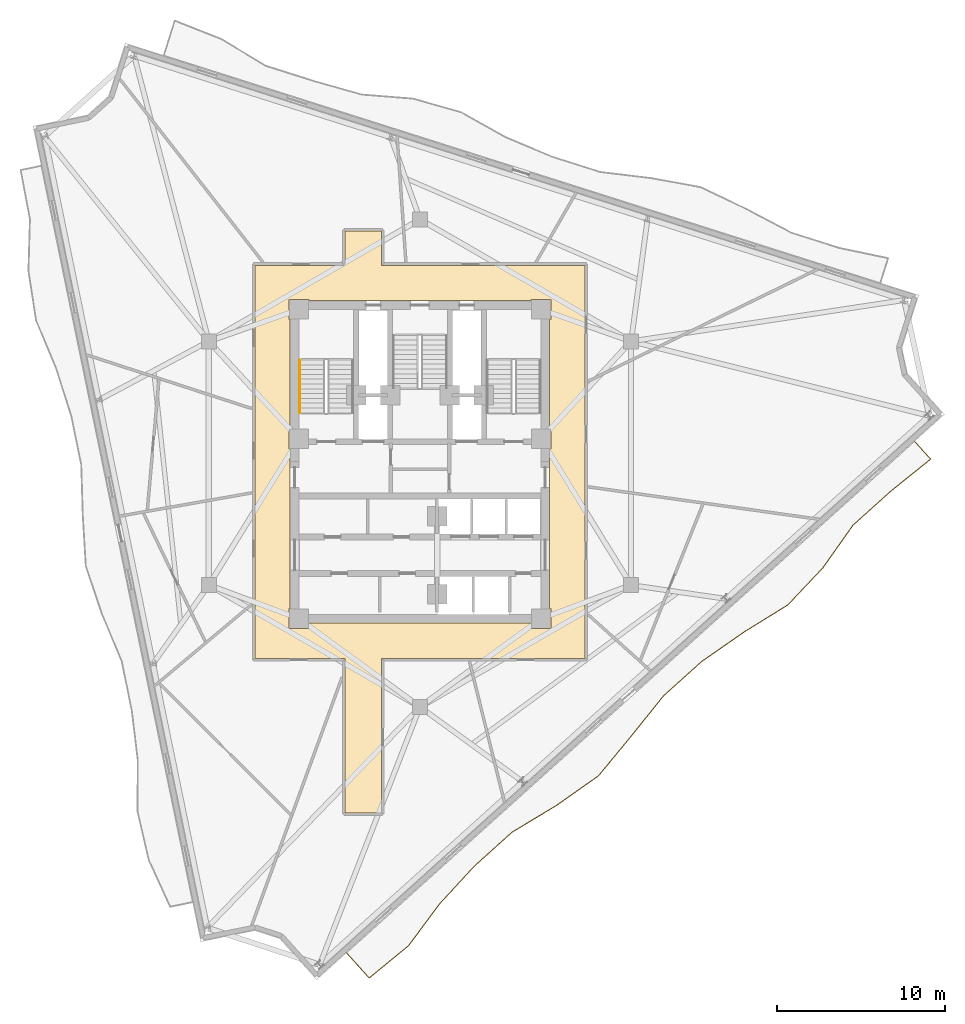
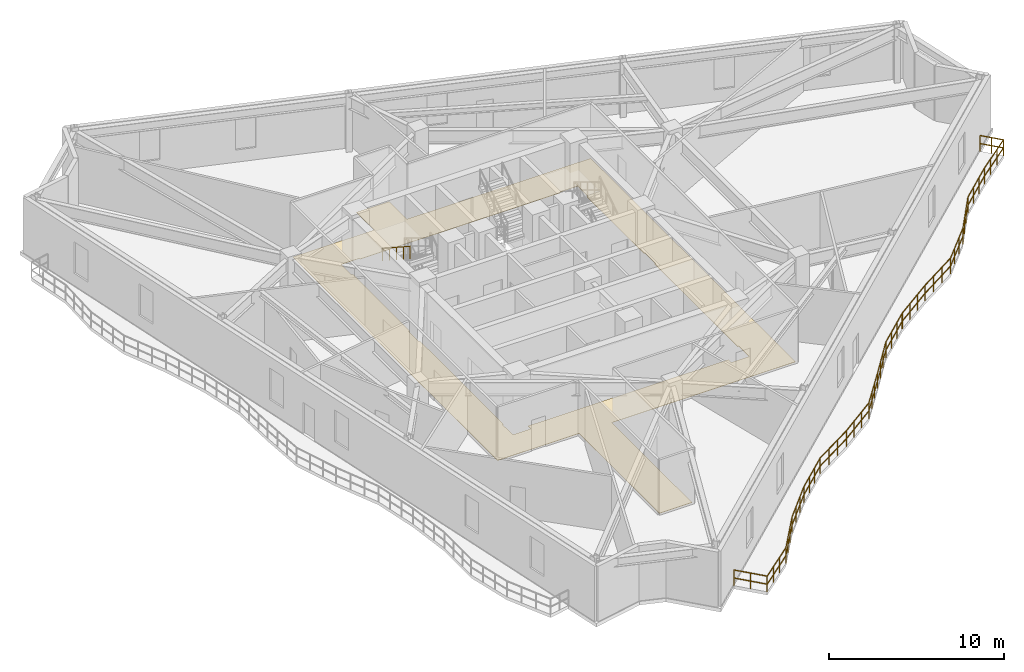
# One storey, part 10 of 12: 2 railings, 1 covering.
"""IFC4 building model written with IfcOpenShell, lengths in metres."""

from ifc_helpers import new_model, si_unit, direction, frame, origin, origin_2d, place, context, subcontext, project, spatial, polyline, rectangle, outline, extrude, material, layer, layer_set, type_object, element, save


model = new_model("IFC4")

# Units and contexts
model_context = context("Model", 3, precision=1e-05, world=origin(), true_north=direction((0.0, 1.0)))
body_context = subcontext(model_context, "Body", "Model", "MODEL_VIEW")
ifc_project = project(units=[si_unit("LENGTHUNIT", "METRE"), si_unit("AREAUNIT", "SQUARE_METRE"), si_unit("VOLUMEUNIT", "CUBIC_METRE"), si_unit("PLANEANGLEUNIT", "RADIAN"), si_unit("MASSUNIT", "GRAM", prefix="KILO")], contexts=[model_context])

# Site, building, storey
site_placement = place(None, origin())
site = spatial("IfcSite", under=ifc_project, at=site_placement, CompositionType="ELEMENT")
building_placement = place(site_placement, origin())
building = spatial("IfcBuilding", under=site, at=building_placement, Name="Apsidion Concourse Tower", CompositionType="ELEMENT")
storey_placement = place(building_placement, frame((0.0, 0.0, 232.199951171875)))
storey = spatial("IfcBuildingStorey", under=building, at=storey_placement, Name="L54", CompositionType="ELEMENT", Elevation=232.199951171875)

# Covering
ifc_material_1 = material(Name="Honed travertine floor finish", Category="masonry")
ifc_layer = layer(ifc_material_1, 0.02001953125)
ifc_layer_set = layer_set([ifc_layer], Name="Honed travertine floor finish")
covering_type = type_object("IfcCoveringType", Name="COV-FLOR-20", PredefinedType="FLOORING", material=ifc_layer_set)
covering_placement = place(storey_placement, origin())
element("IfcCovering", 1, at=covering_placement, inside=storey, type_object=covering_type, Name="L54 Honed Travertine Floor Finish 2", PredefinedType="FLOORING", context=body_context, shape_type="SweptSolid", body=[
    extrude(outline(polyline([(-9.820068359375, -11.6201171875), (-9.820068359375, 11.77001953125), (-4.449951171875, 11.77001953125), (-4.449951171875, 13.800048828125), (-2.300048828125, 13.800048828125), (-2.300048828125, 11.77001953125), (9.820068359375, 11.77001953125), (9.820068359375, -11.6201171875), (-2.300048828125, -11.6201171875), (-2.300048828125, -20.800048828125), (-4.449951171875, -20.800048828125), (-4.449951171875, -11.6201171875), (-9.820068359375, -11.6201171875)]), holes=[polyline([(-2.300048828125, 9.669921875), (-4.449951171875, 9.669921875), (-6.60498046875, 9.669921875), (-6.60498046875, 9.72509765625), (-6.60498046875, 9.72705078125), (-6.60546875, 9.72900390625), (-6.60595703125, 9.730712890625), (-6.6064453125, 9.732666015625), (-6.607421875, 9.734375), (-6.6083984375, 9.736083984375), (-6.609619140625, 9.73779296875), (-6.61083984375, 9.739013671875), (-6.6123046875, 9.740478515625), (-6.614013671875, 9.74169921875), (-6.615478515625, 9.74267578125), (-6.6171875, 9.743408203125), (-6.619140625, 9.744140625), (-6.62109375, 9.74462890625), (-6.623046875, 9.744873046875), (-6.625, 9.7451171875), (-7.77490234375, 9.7451171875), (-7.777099609375, 9.744873046875), (-7.77880859375, 9.74462890625), (-7.78076171875, 9.744140625), (-7.78271484375, 9.743408203125), (-7.784423828125, 9.74267578125), (-7.7861328125, 9.74169921875), (-7.78759765625, 9.740478515625), (-7.7890625, 9.739013671875), (-7.79052734375, 9.73779296875), (-7.79150390625, 9.736083984375), (-7.79248046875, 9.734375), (-7.79345703125, 9.732666015625), (-7.794189453125, 9.730712890625), (-7.794677734375, 9.72900390625), (-7.794921875, 9.72705078125), (-7.794921875, 9.72509765625), (-7.794921875, 8.574951171875), (-7.794921875, 8.572998046875), (-7.794677734375, 8.571044921875), (-7.794189453125, 8.569091796875), (-7.79345703125, 8.5673828125), (-7.79248046875, 8.565673828125), (-7.79150390625, 8.56396484375), (-7.79052734375, 8.562255859375), (-7.7890625, 8.560791015625), (-7.78759765625, 8.5595703125), (-7.7861328125, 8.558349609375), (-7.784423828125, 8.557373046875), (-7.78271484375, 8.556396484375), (-7.78076171875, 8.555908203125), (-7.77880859375, 8.555419921875), (-7.777099609375, 8.55517578125), (-7.77490234375, 8.554931640625), (-7.719970703125, 8.554931640625), (-7.719970703125, 2.044921875), (-7.77490234375, 2.044921875), (-7.777099609375, 2.044921875), (-7.77880859375, 2.044677734375), (-7.78076171875, 2.044189453125), (-7.78271484375, 2.04345703125), (-7.784423828125, 2.04248046875), (-7.7861328125, 2.04150390625), (-7.78759765625, 2.04052734375), (-7.7890625, 2.0390625), (-7.79052734375, 2.03759765625), (-7.79150390625, 2.0361328125), (-7.79248046875, 2.034423828125), (-7.79345703125, 2.03271484375), (-7.794189453125, 2.03076171875), (-7.794677734375, 2.02880859375), (-7.794921875, 2.027099609375), (-7.794921875, 2.02490234375), (-7.794921875, 0.875), (-7.794921875, 0.873046875), (-7.794677734375, 0.87109375), (-7.794189453125, 0.869140625), (-7.79345703125, 0.8671875), (-7.79248046875, 0.865478515625), (-7.79150390625, 0.864013671875), (-7.79052734375, 0.8623046875), (-7.7890625, 0.86083984375), (-7.78759765625, 0.859619140625), (-7.7861328125, 0.8583984375), (-7.784423828125, 0.857421875), (-7.78271484375, 0.8564453125), (-7.78076171875, 0.85595703125), (-7.77880859375, 0.85546875), (-7.777099609375, 0.85498046875), (-7.77490234375, 0.85498046875), (-7.719970703125, 0.85498046875), (-7.719970703125, -8.655029296875), (-7.77490234375, -8.655029296875), (-7.777099609375, -8.655029296875), (-7.77880859375, -8.655517578125), (-7.78076171875, -8.656005859375), (-7.78271484375, -8.656494140625), (-7.784423828125, -8.657470703125), (-7.7861328125, -8.658447265625), (-7.78759765625, -8.659423828125), (-7.7890625, -8.660888671875), (-7.79052734375, -8.662353515625), (-7.79150390625, -8.663818359375), (-7.79248046875, -8.66552734375), (-7.79345703125, -8.667236328125), (-7.794189453125, -8.669189453125), (-7.794677734375, -8.671142578125), (-7.794921875, -8.673095703125), (-7.794921875, -8.675048828125), (-7.794921875, -9.824951171875), (-7.794921875, -9.826904296875), (-7.794677734375, -9.828857421875), (-7.794189453125, -9.830810546875), (-7.79345703125, -9.832763671875), (-7.79248046875, -9.83447265625), (-7.79150390625, -9.836181640625), (-7.79052734375, -9.837646484375), (-7.7890625, -9.839111328125), (-7.78759765625, -9.840576171875), (-7.7861328125, -9.841552734375), (-7.784423828125, -9.842529296875), (-7.78271484375, -9.843505859375), (-7.78076171875, -9.843994140625), (-7.77880859375, -9.844482421875), (-7.777099609375, -9.844970703125), (-7.77490234375, -9.844970703125), (-6.625, -9.844970703125), (-6.623046875, -9.844970703125), (-6.62109375, -9.844482421875), (-6.619140625, -9.843994140625), (-6.6171875, -9.843505859375), (-6.615478515625, -9.842529296875), (-6.614013671875, -9.841552734375), (-6.6123046875, -9.840576171875), (-6.61083984375, -9.839111328125), (-6.609619140625, -9.837646484375), (-6.6083984375, -9.836181640625), (-6.607421875, -9.83447265625), (-6.6064453125, -9.832763671875), (-6.60595703125, -9.830810546875), (-6.60546875, -9.828857421875), (-6.60498046875, -9.826904296875), (-6.60498046875, -9.824951171875), (-6.60498046875, -9.52001953125), (-4.449951171875, -9.52001953125), (-2.300048828125, -9.52001953125), (6.60498046875, -9.52001953125), (6.60498046875, -9.824951171875), (6.60498046875, -9.826904296875), (6.60546875, -9.828857421875), (6.60595703125, -9.830810546875), (6.6064453125, -9.832763671875), (6.607421875, -9.83447265625), (6.6083984375, -9.836181640625), (6.609619140625, -9.837646484375), (6.61083984375, -9.839111328125), (6.6123046875, -9.840576171875), (6.614013671875, -9.841552734375), (6.615478515625, -9.842529296875), (6.6171875, -9.843505859375), (6.619140625, -9.843994140625), (6.62109375, -9.844482421875), (6.623046875, -9.844970703125), (6.625, -9.844970703125), (7.77490234375, -9.844970703125), (7.777099609375, -9.844970703125), (7.77880859375, -9.844482421875), (7.78076171875, -9.843994140625), (7.78271484375, -9.843505859375), (7.784423828125, -9.842529296875), (7.7861328125, -9.841552734375), (7.78759765625, -9.840576171875), (7.7890625, -9.839111328125), (7.79052734375, -9.837646484375), (7.79150390625, -9.836181640625), (7.79248046875, -9.83447265625), (7.79345703125, -9.832763671875), (7.794189453125, -9.830810546875), (7.794677734375, -9.828857421875), (7.794921875, -9.826904296875), (7.794921875, -9.824951171875), (7.794921875, -8.675048828125), (7.794921875, -8.673095703125), (7.794677734375, -8.671142578125), (7.794189453125, -8.669189453125), (7.79345703125, -8.667236328125), (7.79248046875, -8.66552734375), (7.79150390625, -8.663818359375), (7.79052734375, -8.662353515625), (7.7890625, -8.660888671875), (7.78759765625, -8.659423828125), (7.7861328125, -8.658447265625), (7.784423828125, -8.657470703125), (7.78271484375, -8.656494140625), (7.78076171875, -8.656005859375), (7.77880859375, -8.655517578125), (7.777099609375, -8.655029296875), (7.77490234375, -8.655029296875), (7.719970703125, -8.655029296875), (7.719970703125, 0.85498046875), (7.77490234375, 0.85498046875), (7.777099609375, 0.85498046875), (7.77880859375, 0.85546875), (7.78076171875, 0.85595703125), (7.78271484375, 0.8564453125), (7.784423828125, 0.857421875), (7.7861328125, 0.8583984375), (7.78759765625, 0.859619140625), (7.7890625, 0.86083984375), (7.79052734375, 0.8623046875), (7.79150390625, 0.864013671875), (7.79248046875, 0.865478515625), (7.79345703125, 0.8671875), (7.794189453125, 0.869140625), (7.794677734375, 0.87109375), (7.794921875, 0.873046875), (7.794921875, 0.875), (7.794921875, 2.02490234375), (7.794921875, 2.027099609375), (7.794677734375, 2.02880859375), (7.794189453125, 2.03076171875), (7.79345703125, 2.03271484375), (7.79248046875, 2.034423828125), (7.79150390625, 2.0361328125), (7.79052734375, 2.03759765625), (7.7890625, 2.0390625), (7.78759765625, 2.04052734375), (7.7861328125, 2.04150390625), (7.784423828125, 2.04248046875), (7.78271484375, 2.04345703125), (7.78076171875, 2.044189453125), (7.77880859375, 2.044677734375), (7.777099609375, 2.044921875), (7.77490234375, 2.044921875), (7.719970703125, 2.044921875), (7.719970703125, 8.554931640625), (7.77490234375, 8.554931640625), (7.777099609375, 8.55517578125), (7.77880859375, 8.555419921875), (7.78076171875, 8.555908203125), (7.78271484375, 8.556396484375), (7.784423828125, 8.557373046875), (7.7861328125, 8.558349609375), (7.78759765625, 8.5595703125), (7.7890625, 8.560791015625), (7.79052734375, 8.562255859375), (7.79150390625, 8.56396484375), (7.79248046875, 8.565673828125), (7.79345703125, 8.5673828125), (7.794189453125, 8.569091796875), (7.794677734375, 8.571044921875), (7.794921875, 8.572998046875), (7.794921875, 8.574951171875), (7.794921875, 9.72509765625), (7.794921875, 9.72705078125), (7.794677734375, 9.72900390625), (7.794189453125, 9.730712890625), (7.79345703125, 9.732666015625), (7.79248046875, 9.734375), (7.79150390625, 9.736083984375), (7.79052734375, 9.73779296875), (7.7890625, 9.739013671875), (7.78759765625, 9.740478515625), (7.7861328125, 9.74169921875), (7.784423828125, 9.74267578125), (7.78271484375, 9.743408203125), (7.78076171875, 9.744140625), (7.77880859375, 9.74462890625), (7.777099609375, 9.744873046875), (7.77490234375, 9.7451171875), (6.625, 9.7451171875), (6.623046875, 9.744873046875), (6.62109375, 9.74462890625), (6.619140625, 9.744140625), (6.6171875, 9.743408203125), (6.615478515625, 9.74267578125), (6.614013671875, 9.74169921875), (6.6123046875, 9.740478515625), (6.61083984375, 9.739013671875), (6.609619140625, 9.73779296875), (6.6083984375, 9.736083984375), (6.607421875, 9.734375), (6.6064453125, 9.732666015625), (6.60595703125, 9.730712890625), (6.60546875, 9.72900390625), (6.60498046875, 9.72705078125), (6.60498046875, 9.72509765625), (6.60498046875, 9.669921875), (-2.300048828125, 9.669921875)])]), origin(), (0.0, 0.0, 1.0), 0.02001953125),
])

# Railings
ifc_material_2 = material(Name="Brushed stainless steel 316", Category="steel")
railing_type_1 = type_object("IfcRailingType", Name="RL-BAL-1120", PredefinedType="BALUSTRADE", material=ifc_material_2)
railing_1_placement = place(storey_placement, frame((29.43359375, 1.295166015625, 0.0)))
element("IfcRailing", 2, at=railing_1_placement, inside=storey, type_object=railing_type_1, Name="L54 Face 2 Rippling Balcony Balustrade", PredefinedType="BALUSTRADE", context=body_context, shape_type="SweptSolid", body=[
    extrude(rectangle(XDim=0.048095703125, YDim=0.048095703125, at=origin_2d()), frame((0.0, 0.0, 1.09619140625), z_axis=(0.669126398651, -0.743148614093, 0.0), x_axis=(0.743148614093, 0.669126398651, 0.0)), (0.0, 0.0, 1.0), 1.418212890625),
    extrude(rectangle(XDim=0.048095703125, YDim=0.048095703125, at=origin_2d()), frame((0.0, 0.0, 0.5361328125), z_axis=(0.669126398651, -0.743148614093, 0.0), x_axis=(0.743148614093, 0.669126398651, 0.0)), (0.0, 0.0, 1.0), 1.418212890625),
    extrude(rectangle(XDim=0.048095703125, YDim=0.048095703125, at=origin_2d()), frame((0.948974609375, -1.053955078125, 1.09619140625), z_axis=(-0.779061489242, -0.626947522509, 0.0), x_axis=(0.626947522509, -0.779061489242, 0.0)), (0.0, 0.0, 1.0), 3.03662109375),
    extrude(rectangle(XDim=0.048095703125, YDim=0.048095703125, at=origin_2d()), frame((0.948974609375, -1.053955078125, 0.5361328125), z_axis=(-0.779061489242, -0.626947522509, 0.0), x_axis=(0.626947522509, -0.779061489242, 0.0)), (0.0, 0.0, 1.0), 3.03662109375),
    extrude(rectangle(XDim=0.048095703125, YDim=0.048095703125, at=origin_2d()), frame((-1.416748046875, -2.957763671875, 1.09619140625), z_axis=(-0.743137975508, -0.669138213942, 0.0), x_axis=(0.669138213942, -0.743137975508, 0.0)), (0.0, 0.0, 1.0), 3.031982421875),
    extrude(rectangle(XDim=0.048095703125, YDim=0.048095703125, at=origin_2d()), frame((-1.416748046875, -2.957763671875, 0.5361328125), z_axis=(-0.743137975508, -0.669138213942, 0.0), x_axis=(0.669138213942, -0.743137975508, 0.0)), (0.0, 0.0, 1.0), 3.031982421875),
    extrude(rectangle(XDim=0.048095703125, YDim=0.048095703125, at=origin_2d()), frame((-3.669921875, -4.986572265625, 1.09619140625), z_axis=(-0.577345970583, -0.816499620485, 0.0), x_axis=(0.816499620485, -0.577345970583, 0.0)), (0.0, 0.0, 1.0), 3.1083984375),
    extrude(rectangle(XDim=0.048095703125, YDim=0.048095703125, at=origin_2d()), frame((-3.669921875, -4.986572265625, 0.5361328125), z_axis=(-0.577345970583, -0.816499620485, 0.0), x_axis=(0.816499620485, -0.577345970583, 0.0)), (0.0, 0.0, 1.0), 3.1083984375),
    extrude(rectangle(XDim=0.048095703125, YDim=0.048095703125, at=origin_2d()), frame((-5.464599609375, -7.524658203125, 1.09619140625), z_axis=(-0.68712772558, -0.72653663964, 0.0), x_axis=(0.72653663964, -0.68712772558, 0.0)), (0.0, 0.0, 1.0), 3.041748046875),
    extrude(rectangle(XDim=0.048095703125, YDim=0.048095703125, at=origin_2d()), frame((-5.464599609375, -7.524658203125, 0.5361328125), z_axis=(-0.68712772558, -0.72653663964, 0.0), x_axis=(0.72653663964, -0.68712772558, 0.0)), (0.0, 0.0, 1.0), 3.041748046875),
    extrude(rectangle(XDim=0.048095703125, YDim=0.048095703125, at=origin_2d()), frame((-7.5546875, -9.734619140625, 1.09619140625), z_axis=(-0.850243192623, -0.526390077222, 0.0), x_axis=(0.526390077222, -0.850243192623, 0.0)), (0.0, 0.0, 1.0), 3.0810546875),
    extrude(rectangle(XDim=0.048095703125, YDim=0.048095703125, at=origin_2d()), frame((-7.5546875, -9.734619140625, 0.5361328125), z_axis=(-0.850243192623, -0.526390077222, 0.0), x_axis=(0.526390077222, -0.850243192623, 0.0)), (0.0, 0.0, 1.0), 3.0810546875),
    extrude(rectangle(XDim=0.048095703125, YDim=0.048095703125, at=origin_2d()), frame((-10.17431640625, -11.3564453125, 1.09619140625), z_axis=(-0.820861234866, -0.571127685456, 0.0), x_axis=(0.571127685456, -0.820861234866, 0.0)), (0.0, 0.0, 1.0), 3.055908203125),
    extrude(rectangle(XDim=0.048095703125, YDim=0.048095703125, at=origin_2d()), frame((-10.17431640625, -11.3564453125, 0.5361328125), z_axis=(-0.820861234866, -0.571127685456, 0.0), x_axis=(0.571127685456, -0.820861234866, 0.0)), (0.0, 0.0, 1.0), 3.055908203125),
    extrude(rectangle(XDim=0.048095703125, YDim=0.048095703125, at=origin_2d()), frame((-12.682861328125, -13.101806640625, 1.09619140625), z_axis=(-0.743137975508, -0.669138213942, 0.0), x_axis=(0.669138213942, -0.743137975508, 0.0)), (0.0, 0.0, 1.0), 3.031982421875),
    extrude(rectangle(XDim=0.048095703125, YDim=0.048095703125, at=origin_2d()), frame((-12.682861328125, -13.101806640625, 0.5361328125), z_axis=(-0.743137975508, -0.669138213942, 0.0), x_axis=(0.669138213942, -0.743137975508, 0.0)), (0.0, 0.0, 1.0), 3.031982421875),
    extrude(rectangle(XDim=0.048095703125, YDim=0.048095703125, at=origin_2d()), frame((-14.93603515625, -15.130615234375, 1.09619140625), z_axis=(-0.625586252701, -0.780155010515, 0.0), x_axis=(0.780155010515, -0.625586252701, 0.0)), (0.0, 0.0, 1.0), 3.072021484375),
    extrude(rectangle(XDim=0.048095703125, YDim=0.048095703125, at=origin_2d()), frame((-14.93603515625, -15.130615234375, 0.5361328125), z_axis=(-0.625586252701, -0.780155010515, 0.0), x_axis=(0.780155010515, -0.625586252701, 0.0)), (0.0, 0.0, 1.0), 3.072021484375),
    extrude(rectangle(XDim=0.048095703125, YDim=0.048095703125, at=origin_2d()), frame((-16.85791015625, -17.52734375, 1.09619140625), z_axis=(-0.636125859805, -0.771585309922, 0.0), x_axis=(0.771585309922, -0.636125859805, 0.0)), (0.0, 0.0, 1.0), 3.065673828125),
    extrude(rectangle(XDim=0.048095703125, YDim=0.048095703125, at=origin_2d()), frame((-16.85791015625, -17.52734375, 0.5361328125), z_axis=(-0.636125859805, -0.771585309922, 0.0), x_axis=(0.771585309922, -0.636125859805, 0.0)), (0.0, 0.0, 1.0), 3.065673828125),
    extrude(rectangle(XDim=0.048095703125, YDim=0.048095703125, at=origin_2d()), frame((-18.80810546875, -19.892822265625, 1.09619140625), z_axis=(-0.817251375488, -0.57628134558, 0.0), x_axis=(0.57628134558, -0.817251375488, 0.0)), (0.0, 0.0, 1.0), 3.0537109375),
    extrude(rectangle(XDim=0.048095703125, YDim=0.048095703125, at=origin_2d()), frame((-18.80810546875, -19.892822265625, 0.5361328125), z_axis=(-0.817251375488, -0.57628134558, 0.0), x_axis=(0.57628134558, -0.817251375488, 0.0)), (0.0, 0.0, 1.0), 3.0537109375),
    extrude(rectangle(XDim=0.048095703125, YDim=0.048095703125, at=origin_2d()), frame((-21.3037109375, -21.652587890625, 1.09619140625), z_axis=(-0.856619704158, -0.515948333118, 0.0), x_axis=(0.515948333118, -0.856619704158, 0.0)), (0.0, 0.0, 1.0), 3.088134765625),
    extrude(rectangle(XDim=0.048095703125, YDim=0.048095703125, at=origin_2d()), frame((-21.3037109375, -21.652587890625, 0.5361328125), z_axis=(-0.856619704158, -0.515948333118, 0.0), x_axis=(0.515948333118, -0.856619704158, 0.0)), (0.0, 0.0, 1.0), 3.088134765625),
    extrude(rectangle(XDim=0.048095703125, YDim=0.048095703125, at=origin_2d()), frame((-23.948974609375, -23.245849609375, 1.09619140625), z_axis=(-0.743137975508, -0.669138213942, 0.0), x_axis=(0.669138213942, -0.743137975508, 0.0)), (0.0, 0.0, 1.0), 3.031982421875),
    extrude(rectangle(XDim=0.048095703125, YDim=0.048095703125, at=origin_2d()), frame((-23.948974609375, -23.245849609375, 0.5361328125), z_axis=(-0.743137975508, -0.669138213942, 0.0), x_axis=(0.669138213942, -0.743137975508, 0.0)), (0.0, 0.0, 1.0), 3.031982421875),
    extrude(rectangle(XDim=0.048095703125, YDim=0.048095703125, at=origin_2d()), frame((-26.2021484375, -25.274658203125, 1.09619140625), z_axis=(-0.677570494829, -0.735457833283, 0.0), x_axis=(0.735457833283, -0.677570494829, 0.0)), (0.0, 0.0, 1.0), 3.045166015625),
    extrude(rectangle(XDim=0.048095703125, YDim=0.048095703125, at=origin_2d()), frame((-26.2021484375, -25.274658203125, 0.5361328125), z_axis=(-0.677570494829, -0.735457833283, 0.0), x_axis=(0.735457833283, -0.677570494829, 0.0)), (0.0, 0.0, 1.0), 3.045166015625),
    extrude(rectangle(XDim=0.048095703125, YDim=0.048095703125, at=origin_2d()), frame((-28.265380859375, -27.51416015625, 1.09619140625), z_axis=(-0.595635109511, -0.803255137747, 0.0), x_axis=(0.803255137747, -0.595635109511, 0.0)), (0.0, 0.0, 1.0), 3.09375),
    extrude(rectangle(XDim=0.048095703125, YDim=0.048095703125, at=origin_2d()), frame((-28.265380859375, -27.51416015625, 0.5361328125), z_axis=(-0.595635109511, -0.803255137747, 0.0), x_axis=(0.803255137747, -0.595635109511, 0.0)), (0.0, 0.0, 1.0), 3.09375),
    extrude(rectangle(XDim=0.048095703125, YDim=0.048095703125, at=origin_2d()), frame((-30.108154296875, -29.999267578125, 1.09619140625), z_axis=(-0.772784023312, -0.634669089615, 0.0), x_axis=(0.634669089615, -0.772784023312, 0.0)), (0.0, 0.0, 1.0), 3.03515625),
    extrude(rectangle(XDim=0.048095703125, YDim=0.048095703125, at=origin_2d()), frame((-30.108154296875, -29.999267578125, 0.5361328125), z_axis=(-0.772784023312, -0.634669089615, 0.0), x_axis=(0.634669089615, -0.772784023312, 0.0)), (0.0, 0.0, 1.0), 3.03515625),
    extrude(rectangle(XDim=0.048095703125, YDim=0.048095703125, at=origin_2d()), frame((-32.45361328125, -31.925537109375, 1.09619140625), z_axis=(-0.669078836066, 0.743191436393, 0.0), x_axis=(-0.743191436393, -0.669078836066, 0.0)), (0.0, 0.0, 1.0), 2.009521484375),
    extrude(rectangle(XDim=0.048095703125, YDim=0.048095703125, at=origin_2d()), frame((-32.45361328125, -31.925537109375, 0.5361328125), z_axis=(-0.669078836066, 0.743191436393, 0.0), x_axis=(-0.743191436393, -0.669078836066, 0.0)), (0.0, 0.0, 1.0), 2.009521484375),
    extrude(rectangle(XDim=0.0419921875, YDim=0.0419921875, at=origin_2d()), origin(), (0.0, 0.0, 1.0), 1.072021484375),
    extrude(rectangle(XDim=0.0419921875, YDim=0.0419921875, at=origin_2d()), frame((0.474609375, -0.52685546875, 0.0)), (0.0, 0.0, 1.0), 1.072021484375),
    extrude(rectangle(XDim=0.0419921875, YDim=0.0419921875, at=origin_2d()), frame((0.948974609375, -1.053955078125, 0.0)), (0.0, 0.0, 1.0), 1.072021484375),
    extrude(rectangle(XDim=0.0419921875, YDim=0.0419921875, at=origin_2d()), frame((0.160400390625, -1.6884765625, 0.0)), (0.0, 0.0, 1.0), 1.072021484375),
    extrude(rectangle(XDim=0.0419921875, YDim=0.0419921875, at=origin_2d()), frame((-0.628173828125, -2.3232421875, 0.0)), (0.0, 0.0, 1.0), 1.072021484375),
    extrude(rectangle(XDim=0.0419921875, YDim=0.0419921875, at=origin_2d()), frame((-1.416748046875, -2.957763671875, 0.0)), (0.0, 0.0, 1.0), 1.072021484375),
    extrude(rectangle(XDim=0.0419921875, YDim=0.0419921875, at=origin_2d()), frame((-2.167724609375, -3.634033203125, 0.0)), (0.0, 0.0, 1.0), 1.072021484375),
    extrude(rectangle(XDim=0.0419921875, YDim=0.0419921875, at=origin_2d()), frame((-2.9189453125, -4.310302734375, 0.0)), (0.0, 0.0, 1.0), 1.072021484375),
    extrude(rectangle(XDim=0.0419921875, YDim=0.0419921875, at=origin_2d()), frame((-3.669921875, -4.986572265625, 0.0)), (0.0, 0.0, 1.0), 1.072021484375),
    extrude(rectangle(XDim=0.0419921875, YDim=0.0419921875, at=origin_2d()), frame((-4.26806640625, -5.83251953125, 0.0)), (0.0, 0.0, 1.0), 1.072021484375),
    extrude(rectangle(XDim=0.0419921875, YDim=0.0419921875, at=origin_2d()), frame((-4.866455078125, -6.6787109375, 0.0)), (0.0, 0.0, 1.0), 1.072021484375),
    extrude(rectangle(XDim=0.0419921875, YDim=0.0419921875, at=origin_2d()), frame((-5.464599609375, -7.524658203125, 0.0)), (0.0, 0.0, 1.0), 1.072021484375),
    extrude(rectangle(XDim=0.0419921875, YDim=0.0419921875, at=origin_2d()), frame((-6.161376953125, -8.26123046875, 0.0)), (0.0, 0.0, 1.0), 1.072021484375),
    extrude(rectangle(XDim=0.0419921875, YDim=0.0419921875, at=origin_2d()), frame((-6.85791015625, -8.998046875, 0.0)), (0.0, 0.0, 1.0), 1.072021484375),
    extrude(rectangle(XDim=0.0419921875, YDim=0.0419921875, at=origin_2d()), frame((-7.5546875, -9.734619140625, 0.0)), (0.0, 0.0, 1.0), 1.072021484375),
    extrude(rectangle(XDim=0.0419921875, YDim=0.0419921875, at=origin_2d()), frame((-8.427978515625, -10.275146484375, 0.0)), (0.0, 0.0, 1.0), 1.072021484375),
    extrude(rectangle(XDim=0.0419921875, YDim=0.0419921875, at=origin_2d()), frame((-9.301025390625, -10.81591796875, 0.0)), (0.0, 0.0, 1.0), 1.072021484375),
    extrude(rectangle(XDim=0.0419921875, YDim=0.0419921875, at=origin_2d()), frame((-10.17431640625, -11.3564453125, 0.0)), (0.0, 0.0, 1.0), 1.072021484375),
    extrude(rectangle(XDim=0.0419921875, YDim=0.0419921875, at=origin_2d()), frame((-11.010498046875, -11.938232421875, 0.0)), (0.0, 0.0, 1.0), 1.072021484375),
    extrude(rectangle(XDim=0.0419921875, YDim=0.0419921875, at=origin_2d()), frame((-11.8466796875, -12.52001953125, 0.0)), (0.0, 0.0, 1.0), 1.072021484375),
    extrude(rectangle(XDim=0.0419921875, YDim=0.0419921875, at=origin_2d()), frame((-12.682861328125, -13.101806640625, 0.0)), (0.0, 0.0, 1.0), 1.072021484375),
    extrude(rectangle(XDim=0.0419921875, YDim=0.0419921875, at=origin_2d()), frame((-13.433837890625, -13.778076171875, 0.0)), (0.0, 0.0, 1.0), 1.072021484375),
    extrude(rectangle(XDim=0.0419921875, YDim=0.0419921875, at=origin_2d()), frame((-14.18505859375, -14.454345703125, 0.0)), (0.0, 0.0, 1.0), 1.072021484375),
    extrude(rectangle(XDim=0.0419921875, YDim=0.0419921875, at=origin_2d()), frame((-14.93603515625, -15.130615234375, 0.0)), (0.0, 0.0, 1.0), 1.072021484375),
    extrude(rectangle(XDim=0.0419921875, YDim=0.0419921875, at=origin_2d()), frame((-15.57666015625, -15.929443359375, 0.0)), (0.0, 0.0, 1.0), 1.072021484375),
    extrude(rectangle(XDim=0.0419921875, YDim=0.0419921875, at=origin_2d()), frame((-16.21728515625, -16.728515625, 0.0)), (0.0, 0.0, 1.0), 1.072021484375),
    extrude(rectangle(XDim=0.0419921875, YDim=0.0419921875, at=origin_2d()), frame((-16.85791015625, -17.52734375, 0.0)), (0.0, 0.0, 1.0), 1.072021484375),
    extrude(rectangle(XDim=0.0419921875, YDim=0.0419921875, at=origin_2d()), frame((-17.508056640625, -18.31591796875, 0.0)), (0.0, 0.0, 1.0), 1.072021484375),
    extrude(rectangle(XDim=0.0419921875, YDim=0.0419921875, at=origin_2d()), frame((-18.157958984375, -19.104248046875, 0.0)), (0.0, 0.0, 1.0), 1.072021484375),
    extrude(rectangle(XDim=0.0419921875, YDim=0.0419921875, at=origin_2d()), frame((-18.80810546875, -19.892822265625, 0.0)), (0.0, 0.0, 1.0), 1.072021484375),
    extrude(rectangle(XDim=0.0419921875, YDim=0.0419921875, at=origin_2d()), frame((-19.639892578125, -20.4794921875, 0.0)), (0.0, 0.0, 1.0), 1.072021484375),
    extrude(rectangle(XDim=0.0419921875, YDim=0.0419921875, at=origin_2d()), frame((-20.471923828125, -21.06591796875, 0.0)), (0.0, 0.0, 1.0), 1.072021484375),
    extrude(rectangle(XDim=0.0419921875, YDim=0.0419921875, at=origin_2d()), frame((-21.3037109375, -21.652587890625, 0.0)), (0.0, 0.0, 1.0), 1.072021484375),
    extrude(rectangle(XDim=0.0419921875, YDim=0.0419921875, at=origin_2d()), frame((-22.185546875, -22.18359375, 0.0)), (0.0, 0.0, 1.0), 1.072021484375),
    extrude(rectangle(XDim=0.0419921875, YDim=0.0419921875, at=origin_2d()), frame((-23.067138671875, -22.71484375, 0.0)), (0.0, 0.0, 1.0), 1.072021484375),
    extrude(rectangle(XDim=0.0419921875, YDim=0.0419921875, at=origin_2d()), frame((-23.948974609375, -23.245849609375, 0.0)), (0.0, 0.0, 1.0), 1.072021484375),
    extrude(rectangle(XDim=0.0419921875, YDim=0.0419921875, at=origin_2d()), frame((-24.699951171875, -23.922119140625, 0.0)), (0.0, 0.0, 1.0), 1.072021484375),
    extrude(rectangle(XDim=0.0419921875, YDim=0.0419921875, at=origin_2d()), frame((-25.451171875, -24.598388671875, 0.0)), (0.0, 0.0, 1.0), 1.072021484375),
    extrude(rectangle(XDim=0.0419921875, YDim=0.0419921875, at=origin_2d()), frame((-26.2021484375, -25.274658203125, 0.0)), (0.0, 0.0, 1.0), 1.072021484375),
    extrude(rectangle(XDim=0.0419921875, YDim=0.0419921875, at=origin_2d()), frame((-26.889892578125, -26.021240234375, 0.0)), (0.0, 0.0, 1.0), 1.072021484375),
    extrude(rectangle(XDim=0.0419921875, YDim=0.0419921875, at=origin_2d()), frame((-27.57763671875, -26.767578125, 0.0)), (0.0, 0.0, 1.0), 1.072021484375),
    extrude(rectangle(XDim=0.0419921875, YDim=0.0419921875, at=origin_2d()), frame((-28.265380859375, -27.51416015625, 0.0)), (0.0, 0.0, 1.0), 1.072021484375),
    extrude(rectangle(XDim=0.0419921875, YDim=0.0419921875, at=origin_2d()), frame((-28.879638671875, -28.342529296875, 0.0)), (0.0, 0.0, 1.0), 1.072021484375),
    extrude(rectangle(XDim=0.0419921875, YDim=0.0419921875, at=origin_2d()), frame((-29.493896484375, -29.1708984375, 0.0)), (0.0, 0.0, 1.0), 1.072021484375),
    extrude(rectangle(XDim=0.0419921875, YDim=0.0419921875, at=origin_2d()), frame((-30.108154296875, -29.999267578125, 0.0)), (0.0, 0.0, 1.0), 1.072021484375),
    extrude(rectangle(XDim=0.0419921875, YDim=0.0419921875, at=origin_2d()), frame((-30.889892578125, -30.641357421875, 0.0)), (0.0, 0.0, 1.0), 1.072021484375),
    extrude(rectangle(XDim=0.0419921875, YDim=0.0419921875, at=origin_2d()), frame((-31.671875, -31.283447265625, 0.0)), (0.0, 0.0, 1.0), 1.072021484375),
    extrude(rectangle(XDim=0.0419921875, YDim=0.0419921875, at=origin_2d()), frame((-32.45361328125, -31.925537109375, 0.0)), (0.0, 0.0, 1.0), 1.072021484375),
    extrude(rectangle(XDim=0.0419921875, YDim=0.0419921875, at=origin_2d()), frame((-33.1259765625, -31.1787109375, 0.0)), (0.0, 0.0, 1.0), 1.072021484375),
    extrude(rectangle(XDim=0.0419921875, YDim=0.0419921875, at=origin_2d()), frame((-33.798095703125, -30.43212890625, 0.0)), (0.0, 0.0, 1.0), 1.072021484375),
])
railing_type_2 = type_object("IfcRailingType", Name="RL-HAND-900", PredefinedType="HANDRAIL", material=ifc_material_2)
railing_2_placement = place(storey_placement, frame((-7.14990234375, 6.135009765625, 2.220947265625)))
element("IfcRailing", 3, at=railing_2_placement, inside=storey, type_object=railing_type_2, Name="L54 ST1 stair handrail 2", PredefinedType="HANDRAIL", context=body_context, shape_type="SweptSolid", body=[
    extrude(rectangle(XDim=0.048095703125, YDim=0.048095703125, at=origin_2d()), frame((0.0, 0.0, 0.8759765625), z_axis=(0.0, -0.836940907821, 0.547293263996), x_axis=(1.0, 0.0, 0.0)), (0.0, 0.0, 1.0), 3.745849609375),
    extrude(rectangle(XDim=0.0419921875, YDim=0.0419921875, at=origin_2d()), origin(), (0.0, 0.0, 1.0), 0.851806640625),
    extrude(rectangle(XDim=0.0419921875, YDim=0.0419921875, at=origin_2d()), frame((0.0, -0.78369140625, 0.512451171875)), (0.0, 0.0, 1.0), 0.851806640625),
    extrude(rectangle(XDim=0.0419921875, YDim=0.0419921875, at=origin_2d()), frame((0.0, -1.5673828125, 1.02490234375)), (0.0, 0.0, 1.0), 0.851806640625),
    extrude(rectangle(XDim=0.0419921875, YDim=0.0419921875, at=origin_2d()), frame((0.0, -2.351318359375, 1.53759765625)), (0.0, 0.0, 1.0), 0.851806640625),
    extrude(rectangle(XDim=0.0419921875, YDim=0.0419921875, at=origin_2d()), frame((0.0, -3.135009765625, 2.050048828125)), (0.0, 0.0, 1.0), 0.851806640625),
])

save(model, "model.ifc")
